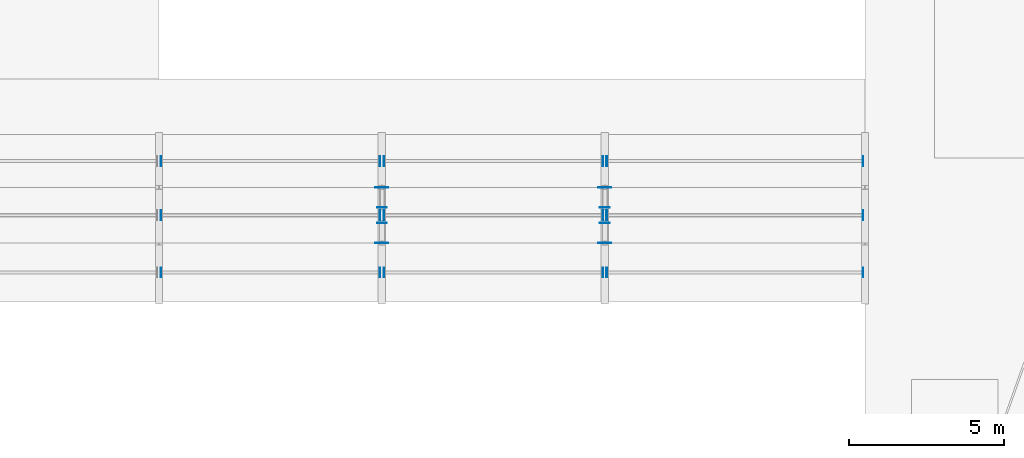
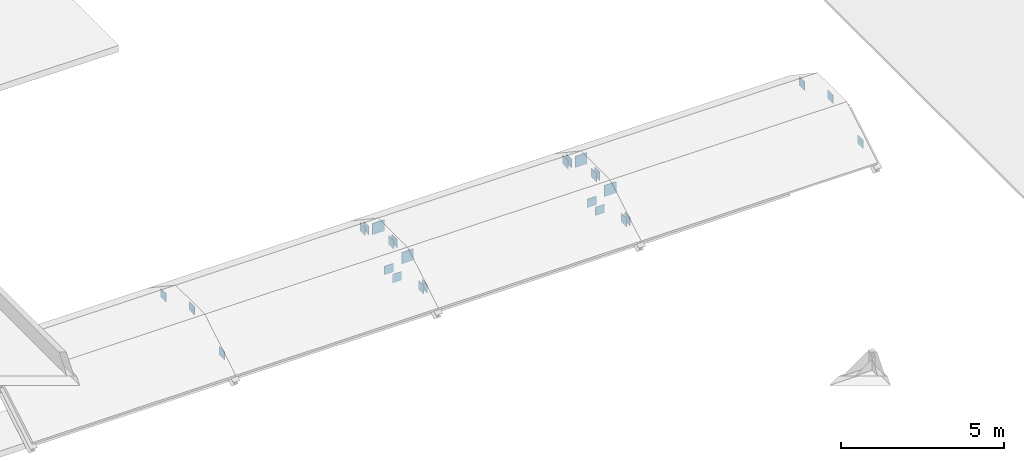
# One storey, part 16 of 27: 26 plates.
"""IFC4 building model written with IfcOpenShell, lengths in metres."""

from ifc_helpers import new_model, si_unit, direction, frame, origin, origin_2d, place, context, subcontext, project, spatial, rectangle, extrude, material, layer, layer_set, type_object, element, save


model = new_model("IFC4")

# Units and contexts
model_context = context("Model", 3, precision=1e-05, world=origin(), true_north=direction((0.0, 1.0)))
body_context = subcontext(model_context, "Body", "Model", "MODEL_VIEW")
ifc_project = project(units=[si_unit("LENGTHUNIT", "METRE"), si_unit("AREAUNIT", "SQUARE_METRE"), si_unit("VOLUMEUNIT", "CUBIC_METRE"), si_unit("PLANEANGLEUNIT", "RADIAN"), si_unit("MASSUNIT", "GRAM", prefix="KILO")], contexts=[model_context])

# Site, building, storey
site_placement = place(None, origin())
site = spatial("IfcSite", under=ifc_project, at=site_placement, CompositionType="ELEMENT")
building_placement = place(site_placement, origin())
building = spatial("IfcBuilding", under=site, at=building_placement, Name="Tazoul Stagehouse", CompositionType="ELEMENT")
storey_placement = place(building_placement, frame((0.0, 0.0, 24.89990234375)))
storey = spatial("IfcBuildingStorey", under=building, at=storey_placement, Name="RF", CompositionType="ELEMENT", Elevation=24.89990234375)

# Plates
ifc_material = material(Name="Steel S355", Category="steel")
ifc_layer_1 = layer(ifc_material, 0.02001953125, Name="Steel S355")
ifc_layer_set_1 = layer_set([ifc_layer_1], Name="Steel S355")
plate_type_1 = type_object("IfcPlateType", Name="Steel Brace End-Cap Plate 320x320x20 (Exterior)", PredefinedType="USERDEFINED", material=ifc_layer_set_1)
for number, where, z_axis, x_axis, name in (
    (1, (109.800048828125, 47.14990234375, -16.35986328125), (0.0, 0.0, 1.0), (0.0, -1.0, 0.0), "RF Gusset End-Cap Plate GP-01E (BR-VP-WEB-109-1-1)"),
    (2, (109.800048828125, 47.64990234375, -16.35986328125), (0.0, 0.0, 1.0), (0.0, 1.0, 0.0), "RF Gusset End-Cap Plate GP-01E (BR-VP-WEB-109-2-1)"),
    (3, (117.0, 47.14990234375, -16.35986328125), (0.0, 0.0, 1.0), (0.0, -1.0, 0.0), "RF Gusset End-Cap Plate GP-01E (BR-VP-WEB-117-1-1)"),
    (4, (117.0, 47.64990234375, -16.35986328125), (0.0, 0.0, 1.0), (0.0, 1.0, 0.0), "RF Gusset End-Cap Plate GP-01E (BR-VP-WEB-117-2-1)"),
    (5, (102.659912109375, 45.550048828125, -15.75), (0.0, 0.0, 1.0), (1.0, 0.0, 0.0), "RF Purlin End-Cap Plate GP-01E (PURL-VP-E2-1-1)"),
    (6, (109.739990234375, 45.550048828125, -15.75), (0.0, 0.0, 1.0), (1.0, 0.0, 0.0), "RF Purlin End-Cap Plate GP-01E (PURL-VP-E2-1-2)"),
    (7, (102.659912109375, 47.39990234375, -15.18017578125), (0.0, 0.0, 1.0), (1.0, 0.0, 0.0), "RF Purlin End-Cap Plate GP-01E (PURL-VP-E2-2-1)"),
    (8, (109.739990234375, 47.39990234375, -15.18017578125), (0.0, 0.0, 1.0), (1.0, 0.0, 0.0), "RF Purlin End-Cap Plate GP-01E (PURL-VP-E2-2-2)"),
    (9, (102.659912109375, 49.14990234375, -15.75), (0.0, 0.0, 1.0), (1.0, 0.0, 0.0), "RF Purlin End-Cap Plate GP-01E (PURL-VP-E2-3-1)"),
    (10, (109.739990234375, 49.14990234375, -15.75), (0.0, 0.0, 1.0), (1.0, 0.0, 0.0), "RF Purlin End-Cap Plate GP-01E (PURL-VP-E2-3-2)"),
    (11, (109.860107421875, 45.550048828125, -15.75), (0.0, 0.0, 1.0), (1.0, 0.0, 0.0), "RF Purlin End-Cap Plate GP-01E (PURL-VP-E3-1-1)"),
    (12, (116.93994140625, 45.550048828125, -15.75), (0.0, 0.0, 1.0), (1.0, 0.0, 0.0), "RF Purlin End-Cap Plate GP-01E (PURL-VP-E3-1-2)"),
    (13, (109.860107421875, 47.39990234375, -15.18017578125), (0.0, 0.0, 1.0), (1.0, 0.0, 0.0), "RF Purlin End-Cap Plate GP-01E (PURL-VP-E3-2-1)"),
    (14, (116.93994140625, 47.39990234375, -15.18017578125), (0.0, 0.0, 1.0), (1.0, 0.0, 0.0), "RF Purlin End-Cap Plate GP-01E (PURL-VP-E3-2-2)"),
    (15, (109.860107421875, 49.14990234375, -15.75), (0.0, 0.0, 1.0), (1.0, 0.0, 0.0), "RF Purlin End-Cap Plate GP-01E (PURL-VP-E3-3-1)"),
    (16, (116.93994140625, 49.14990234375, -15.75), (0.0, 0.0, 1.0), (1.0, 0.0, 0.0), "RF Purlin End-Cap Plate GP-01E (PURL-VP-E3-3-2)"),
    (17, (117.06005859375, 45.550048828125, -15.75), (0.0, 0.0, 1.0), (1.0, 0.0, 0.0), "RF Purlin End-Cap Plate GP-01E (PURL-VP-E4-1-1)"),
    (18, (125.340087890625, 45.550048828125, -15.75), (0.0, 0.0, 1.0), (1.0, 0.0, 0.0), "RF Purlin End-Cap Plate GP-01E (PURL-VP-E4-1-2)"),
    (19, (117.06005859375, 47.39990234375, -15.18017578125), (0.0, 0.0, 1.0), (1.0, 0.0, 0.0), "RF Purlin End-Cap Plate GP-01E (PURL-VP-E4-2-1)"),
    (20, (125.340087890625, 47.39990234375, -15.18017578125), (0.0, 0.0, 1.0), (1.0, 0.0, 0.0), "RF Purlin End-Cap Plate GP-01E (PURL-VP-E4-2-2)"),
    (21, (117.06005859375, 49.14990234375, -15.75), (0.0, 0.0, 1.0), (1.0, 0.0, 0.0), "RF Purlin End-Cap Plate GP-01E (PURL-VP-E4-3-1)"),
    (22, (125.340087890625, 49.14990234375, -15.75), (0.0, 0.0, 1.0), (1.0, 0.0, 0.0), "RF Purlin End-Cap Plate GP-01E (PURL-VP-E4-3-2)"),
):
    element("IfcPlate", number, at=place(storey_placement, frame(where, z_axis=z_axis, x_axis=x_axis)), inside=storey, type_object=plate_type_1, Name=name, ObjectType="GUSSET PLATE", PredefinedType="USERDEFINED", context=body_context, shape_type="SweptSolid", body=[
        extrude(rectangle(XDim=0.02001953125, YDim=0.320068359375, at=origin_2d()), origin(), (0.0, 0.0, 1.0), 0.320068359375),
    ])
ifc_layer_2 = layer(ifc_material, 0.02392578125, Name="Steel S355")
ifc_layer_set_2 = layer_set([ifc_layer_2], Name="Steel S355")
plate_type_2 = type_object("IfcPlateType", Name="Steel Gusset Node Plate 420x420x24 (Exterior)", PredefinedType="USERDEFINED", material=ifc_layer_set_2)
for number, where, z_axis, x_axis, name in (
    (23, (109.800048828125, 46.5, -15.22998046875), (0.0, 0.0, 1.0), (0.0, -1.0, 0.0), "RF Gusset End-Cap Plate GP-02E (BR-VP-WEB-109-1-2)"),
    (24, (109.800048828125, 48.300048828125, -15.22998046875), (0.0, 0.0, 1.0), (0.0, 1.0, 0.0), "RF Gusset End-Cap Plate GP-02E (BR-VP-WEB-109-2-2)"),
    (25, (117.0, 46.5, -15.22998046875), (0.0, 0.0, 1.0), (0.0, -1.0, 0.0), "RF Gusset End-Cap Plate GP-02E (BR-VP-WEB-117-1-2)"),
    (26, (117.0, 48.300048828125, -15.22998046875), (0.0, 0.0, 1.0), (0.0, 1.0, 0.0), "RF Gusset End-Cap Plate GP-02E (BR-VP-WEB-117-2-2)"),
):
    element("IfcPlate", number, at=place(storey_placement, frame(where, z_axis=z_axis, x_axis=x_axis)), inside=storey, type_object=plate_type_2, Name=name, ObjectType="GUSSET PLATE", PredefinedType="USERDEFINED", context=body_context, shape_type="SweptSolid", body=[
        extrude(rectangle(XDim=0.02392578125, YDim=0.419921875, at=origin_2d()), origin(), (0.0, 0.0, 1.0), 0.419921875),
    ])

save(model, "model.ifc")
